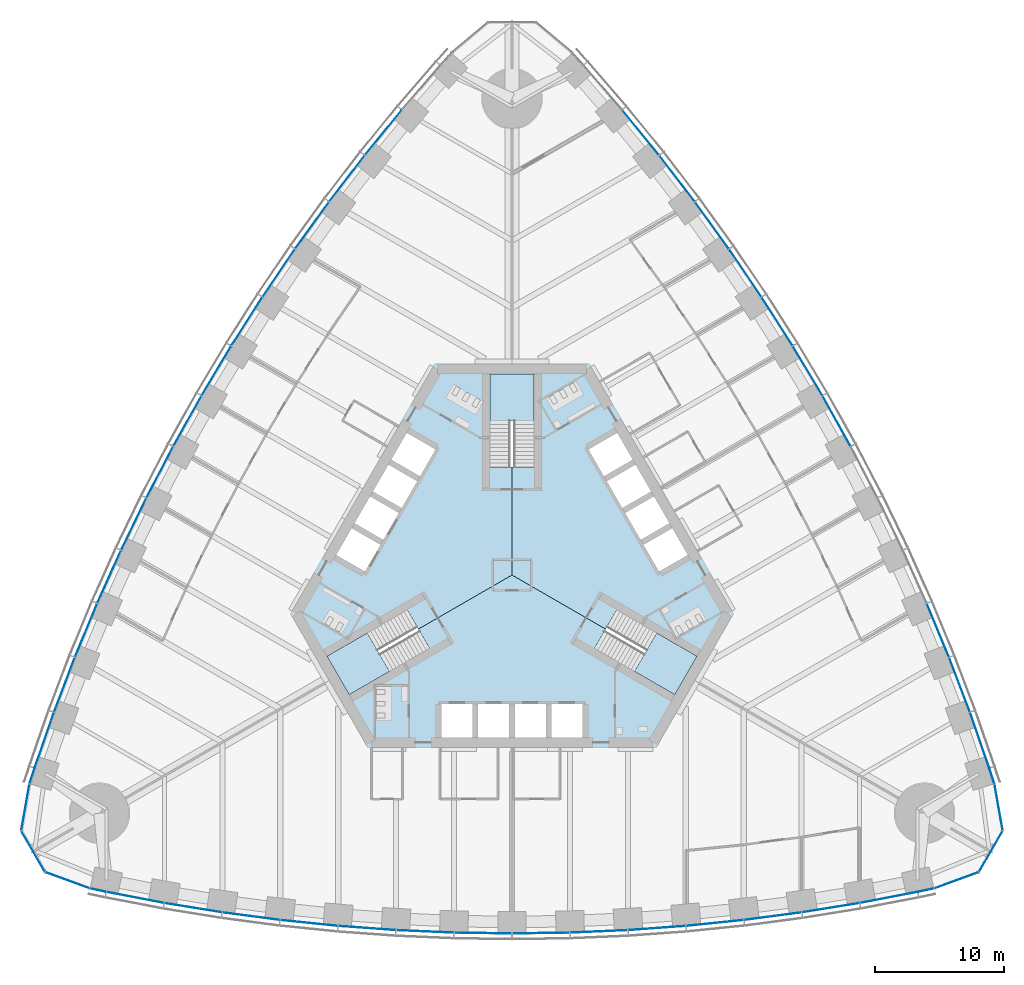
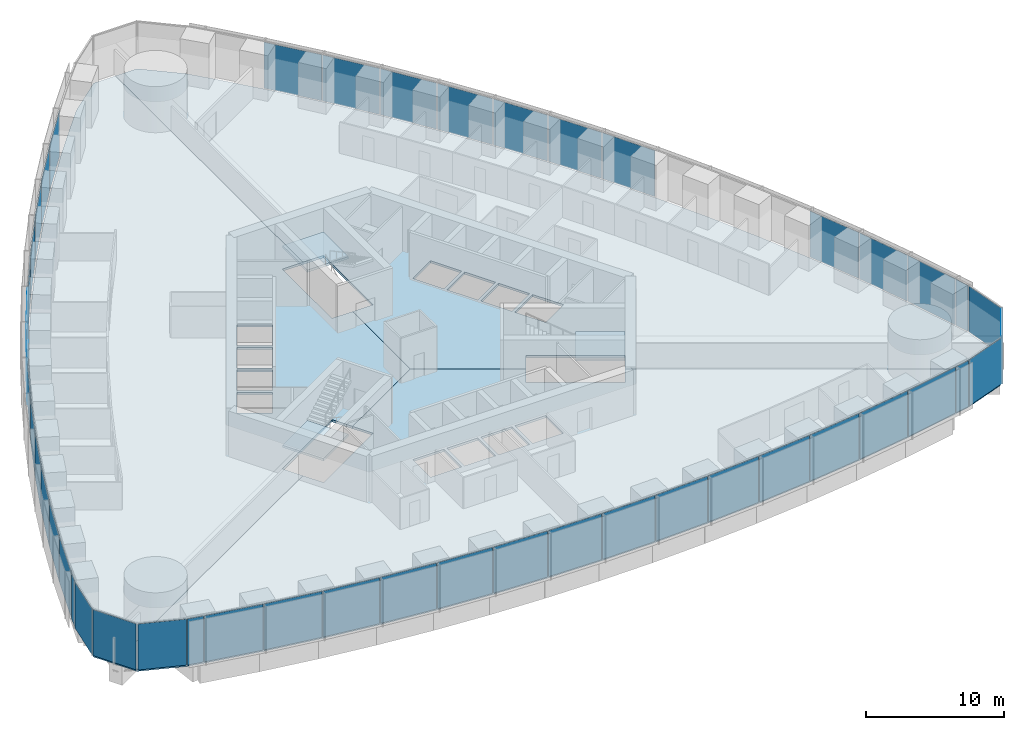
# One storey, part 8 of 19: 47 plates, 6 slabs, 8 elements without a shape of their own.
"""IFC4 building model written with IfcOpenShell, lengths in metres."""

from ifc_helpers import new_model, si_unit, direction, frame, origin, origin_2d, place, context, subcontext, project, spatial, polyline, rectangle, outline, extrude, material, layer, layer_set, type_object, element, aggregate, save


model = new_model("IFC4")

# Units and contexts
model_context = context("Model", 3, precision=1e-05, world=origin(), true_north=direction((0.0, 1.0)))
body_context = subcontext(model_context, "Body", "Model", "MODEL_VIEW")
ifc_project = project(units=[si_unit("LENGTHUNIT", "METRE"), si_unit("AREAUNIT", "SQUARE_METRE"), si_unit("VOLUMEUNIT", "CUBIC_METRE"), si_unit("PLANEANGLEUNIT", "RADIAN"), si_unit("MASSUNIT", "GRAM", prefix="KILO")], contexts=[model_context])

# Site, building, storey
site_placement = place(None, origin())
site = spatial("IfcSite", under=ifc_project, at=site_placement, CompositionType="ELEMENT")
building_placement = place(site_placement, origin())
building = spatial("IfcBuilding", under=site, at=building_placement, Name="Trefoil Bronze Tower", CompositionType="ELEMENT")
storey_placement = place(building_placement, frame((0.0, 0.0, 79.5)))
storey = spatial("IfcBuildingStorey", under=building, at=storey_placement, Name="L18", CompositionType="ELEMENT", Elevation=79.5)

# Curtain wall, plates
ifc_material_1 = material(Name="Tinted solar-control glass", Category="glass")
curtain_wall_type_1 = type_object("IfcCurtainWallType", Name="Bronze office curtain wall", PredefinedType="USERDEFINED", material=ifc_material_1)
curtain_wall_1_placement = place(storey_placement, origin())
curtain_wall_1 = element("IfcCurtainWall", 1, at=curtain_wall_1_placement, inside=storey, type_object=curtain_wall_type_1, Name="CW-A L18 F1", ObjectType="CURTAIN WALL", PredefinedType="USERDEFINED")
ifc_material_2 = material(Name="Tinted solar-control glass", Category="glass")
ifc_layer_1 = layer(ifc_material_2, 0.030029296875)
ifc_layer_set_1 = layer_set([ifc_layer_1], Name="Bronze office curtain wall glass panel")
plate_type_1 = type_object("IfcPlateType", Name="Bronze office curtain wall glass panel", PredefinedType="CURTAIN_PANEL", material=ifc_layer_set_1)
plate_1_placement = place(storey_placement, frame((-32.15185546875, -24.480224609375, 0.0), z_axis=(0.0, 0.0, 1.0), x_axis=(0.978302717041, -0.207180582657, 0.0)))
plate_1 = element("IfcPlate", 2, at=plate_1_placement, type_object=plate_type_1, Name="CW-A L18 F1 panel 1", PredefinedType="CURTAIN_PANEL", context=body_context, shape_type="SweptSolid", body=[
    extrude(rectangle(XDim=1.21044921875, YDim=0.030029296875, at=origin_2d()), origin(), (0.0, 0.0, 1.0), 4.080078125),
])
plate_2_placement = place(storey_placement, frame((-29.268798828125, -25.04638671875, 0.0), z_axis=(0.0, 0.0, 1.0), x_axis=(0.982049823817, -0.188621694249, 0.0)))
plate_2 = element("IfcPlate", 3, at=plate_2_placement, type_object=plate_type_1, Name="CW-A L18 F1 panel 2", PredefinedType="CURTAIN_PANEL", context=body_context, shape_type="SweptSolid", body=[
    extrude(rectangle(XDim=4.502197265625, YDim=0.030029296875, at=origin_2d()), origin(), (0.0, 0.0, 1.0), 4.080078125),
])
plate_3_placement = place(storey_placement, frame((-24.765869140625, -25.8427734375, 0.0), z_axis=(0.0, 0.0, 1.0), x_axis=(0.987181315145, -0.159602791421, 0.0)))
plate_3 = element("IfcPlate", 4, at=plate_3_placement, type_object=plate_type_1, Name="CW-A L18 F1 panel 3", PredefinedType="CURTAIN_PANEL", context=body_context, shape_type="SweptSolid", body=[
    extrude(rectangle(XDim=4.478515625, YDim=0.030029296875, at=origin_2d()), origin(), (0.0, 0.0, 1.0), 4.080078125),
])
plate_4_placement = place(storey_placement, frame((-20.262939453125, -26.50341796875, 0.0), z_axis=(0.0, 0.0, 1.0), x_axis=(0.991437251591, -0.130583981243, 0.0)))
plate_4 = element("IfcPlate", 5, at=plate_4_placement, type_object=plate_type_1, Name="CW-A L18 F1 panel 4", PredefinedType="CURTAIN_PANEL", context=body_context, shape_type="SweptSolid", body=[
    extrude(rectangle(XDim=4.458984375, YDim=0.030029296875, at=origin_2d()), origin(), (0.0, 0.0, 1.0), 4.080078125),
])
plate_5_placement = place(storey_placement, frame((-15.76025390625, -27.02978515625, 0.0), z_axis=(0.0, 0.0, 1.0), x_axis=(0.994828880293, -0.101565244717, 0.0)))
plate_5 = element("IfcPlate", 6, at=plate_5_placement, type_object=plate_type_1, Name="CW-A L18 F1 panel 5", PredefinedType="CURTAIN_PANEL", context=body_context, shape_type="SweptSolid", body=[
    extrude(rectangle(XDim=4.443359375, YDim=0.030029296875, at=origin_2d()), origin(), (0.0, 0.0, 1.0), 4.080078125),
])
plate_6_placement = place(storey_placement, frame((-11.25732421875, -27.42333984375, 0.0), z_axis=(0.0, 0.0, 1.0), x_axis=(0.99736502647, -0.072546564177, 0.0)))
plate_6 = element("IfcPlate", 7, at=plate_6_placement, type_object=plate_type_1, Name="CW-A L18 F1 panel 6", PredefinedType="CURTAIN_PANEL", context=body_context, shape_type="SweptSolid", body=[
    extrude(rectangle(XDim=4.431884765625, YDim=0.030029296875, at=origin_2d()), origin(), (0.0, 0.0, 1.0), 4.080078125),
])
plate_7_placement = place(storey_placement, frame((-6.75439453125, -27.685302734375, 0.0), z_axis=(0.0, 0.0, 1.0), x_axis=(0.999052210809, -0.043527922969, 0.0)))
plate_7 = element("IfcPlate", 8, at=plate_7_placement, type_object=plate_type_1, Name="CW-A L18 F1 panel 7", PredefinedType="CURTAIN_PANEL", context=body_context, shape_type="SweptSolid", body=[
    extrude(rectangle(XDim=4.42431640625, YDim=0.030029296875, at=origin_2d()), origin(), (0.0, 0.0, 1.0), 4.080078125),
])
plate_8_placement = place(storey_placement, frame((-2.25146484375, -27.816162109375, 0.0), z_axis=(0.0, 0.0, 1.0), x_axis=(0.999894734493, -0.014509305083, 0.0)))
plate_8 = element("IfcPlate", 9, at=plate_8_placement, type_object=plate_type_1, Name="CW-A L18 F1 panel 8", PredefinedType="CURTAIN_PANEL", context=body_context, shape_type="SweptSolid", body=[
    extrude(rectangle(XDim=4.42041015625, YDim=0.030029296875, at=origin_2d()), origin(), (0.0, 0.0, 1.0), 4.080078125),
])
plate_9_placement = place(storey_placement, frame((2.25146484375, -27.816162109375, 0.0), z_axis=(0.0, 0.0, 1.0), x_axis=(0.999894734493, 0.014509305083, 0.0)))
plate_9 = element("IfcPlate", 10, at=plate_9_placement, type_object=plate_type_1, Name="CW-A L18 F1 panel 9", PredefinedType="CURTAIN_PANEL", context=body_context, shape_type="SweptSolid", body=[
    extrude(rectangle(XDim=4.42041015625, YDim=0.030029296875, at=origin_2d()), origin(), (0.0, 0.0, 1.0), 4.080078125),
])
plate_10_placement = place(storey_placement, frame((6.75439453125, -27.685302734375, 0.0), z_axis=(0.0, 0.0, 1.0), x_axis=(0.999052210809, 0.043527922969, 0.0)))
plate_10 = element("IfcPlate", 11, at=plate_10_placement, type_object=plate_type_1, Name="CW-A L18 F1 panel 10", PredefinedType="CURTAIN_PANEL", context=body_context, shape_type="SweptSolid", body=[
    extrude(rectangle(XDim=4.42431640625, YDim=0.030029296875, at=origin_2d()), origin(), (0.0, 0.0, 1.0), 4.080078125),
])
plate_11_placement = place(storey_placement, frame((11.25732421875, -27.42333984375, 0.0), z_axis=(0.0, 0.0, 1.0), x_axis=(0.99736502647, 0.072546564177, 0.0)))
plate_11 = element("IfcPlate", 12, at=plate_11_placement, type_object=plate_type_1, Name="CW-A L18 F1 panel 11", PredefinedType="CURTAIN_PANEL", context=body_context, shape_type="SweptSolid", body=[
    extrude(rectangle(XDim=4.431884765625, YDim=0.030029296875, at=origin_2d()), origin(), (0.0, 0.0, 1.0), 4.080078125),
])
plate_12_placement = place(storey_placement, frame((15.76025390625, -27.02978515625, 0.0), z_axis=(0.0, 0.0, 1.0), x_axis=(0.994828880293, 0.101565244717, 0.0)))
plate_12 = element("IfcPlate", 13, at=plate_12_placement, type_object=plate_type_1, Name="CW-A L18 F1 panel 12", PredefinedType="CURTAIN_PANEL", context=body_context, shape_type="SweptSolid", body=[
    extrude(rectangle(XDim=4.443359375, YDim=0.030029296875, at=origin_2d()), origin(), (0.0, 0.0, 1.0), 4.080078125),
])
plate_13_placement = place(storey_placement, frame((20.262939453125, -26.50341796875, 0.0), z_axis=(0.0, 0.0, 1.0), x_axis=(0.991437251591, 0.130583981243, 0.0)))
plate_13 = element("IfcPlate", 14, at=plate_13_placement, type_object=plate_type_1, Name="CW-A L18 F1 panel 13", PredefinedType="CURTAIN_PANEL", context=body_context, shape_type="SweptSolid", body=[
    extrude(rectangle(XDim=4.458984375, YDim=0.030029296875, at=origin_2d()), origin(), (0.0, 0.0, 1.0), 4.080078125),
])
plate_14_placement = place(storey_placement, frame((24.765869140625, -25.8427734375, 0.0), z_axis=(0.0, 0.0, 1.0), x_axis=(0.987181315145, 0.159602791421, 0.0)))
plate_14 = element("IfcPlate", 15, at=plate_14_placement, type_object=plate_type_1, Name="CW-A L18 F1 panel 14", PredefinedType="CURTAIN_PANEL", context=body_context, shape_type="SweptSolid", body=[
    extrude(rectangle(XDim=4.478515625, YDim=0.030029296875, at=origin_2d()), origin(), (0.0, 0.0, 1.0), 4.080078125),
])
plate_15_placement = place(storey_placement, frame((29.268798828125, -25.04638671875, 0.0), z_axis=(0.0, 0.0, 1.0), x_axis=(0.982049823817, 0.188621694249, 0.0)))
plate_15 = element("IfcPlate", 16, at=plate_15_placement, type_object=plate_type_1, Name="CW-A L18 F1 panel 15", PredefinedType="CURTAIN_PANEL", context=body_context, shape_type="SweptSolid", body=[
    extrude(rectangle(XDim=4.502197265625, YDim=0.030029296875, at=origin_2d()), origin(), (0.0, 0.0, 1.0), 4.080078125),
])
plate_16_placement = place(storey_placement, frame((32.15185546875, -24.480224609375, 0.0), z_axis=(0.0, 0.0, 1.0), x_axis=(0.978302717041, 0.207180582657, 0.0)))
plate_16 = element("IfcPlate", 17, at=plate_16_placement, type_object=plate_type_1, Name="CW-A L18 F1 panel 16", PredefinedType="CURTAIN_PANEL", context=body_context, shape_type="SweptSolid", body=[
    extrude(rectangle(XDim=1.21044921875, YDim=0.030029296875, at=origin_2d()), origin(), (0.0, 0.0, 1.0), 4.080078125),
])
aggregate(curtain_wall_1, [plate_1, plate_2, plate_3, plate_4, plate_5, plate_6, plate_7, plate_8, plate_9, plate_10, plate_11, plate_12, plate_13, plate_14, plate_15, plate_16])

curtain_wall_2_placement = place(storey_placement, origin())
curtain_wall_2 = element("IfcCurtainWall", 18, at=curtain_wall_2_placement, inside=storey, type_object=curtain_wall_type_1, Name="CW-A L18 F2", ObjectType="CURTAIN WALL", PredefinedType="USERDEFINED")
plate_17_placement = place(storey_placement, frame((37.2763671875, -15.604248046875, 0.0), z_axis=(0.0, 0.0, 1.0), x_axis=(-0.309727710769, 0.950825296877, 0.0)))
plate_17 = element("IfcPlate", 19, at=plate_17_placement, type_object=plate_type_1, Name="CW-A L18 F2 panel 1", PredefinedType="CURTAIN_PANEL", context=body_context, shape_type="SweptSolid", body=[
    extrude(rectangle(XDim=1.21044921875, YDim=0.030029296875, at=origin_2d()), origin(), (0.0, 0.0, 1.0), 4.080078125),
])
plate_18_placement = place(storey_placement, frame((36.3251953125, -12.824462890625, 0.0), z_axis=(0.0, 0.0, 1.0), x_axis=(-0.327673732984, 0.944790942332, 0.0)))
plate_18 = element("IfcPlate", 20, at=plate_18_placement, type_object=plate_type_1, Name="CW-A L18 F2 panel 2", PredefinedType="CURTAIN_PANEL", context=body_context, shape_type="SweptSolid", body=[
    extrude(rectangle(XDim=4.502197265625, YDim=0.030029296875, at=origin_2d()), origin(), (0.0, 0.0, 1.0), 4.080078125),
])
plate_19_placement = place(storey_placement, frame((34.763427734375, -8.526611328125, 0.0), z_axis=(0.0, 0.0, 1.0), x_axis=(-0.355370585687, 0.934725492767, 0.0)))
plate_19 = element("IfcPlate", 21, at=plate_19_placement, type_object=plate_type_1, Name="CW-A L18 F2 panel 3", PredefinedType="CURTAIN_PANEL", context=body_context, shape_type="SweptSolid", body=[
    extrude(rectangle(XDim=4.478515625, YDim=0.030029296875, at=origin_2d()), origin(), (0.0, 0.0, 1.0), 4.080078125),
])
plate_20_placement = place(storey_placement, frame((33.084228515625, -4.296630859375, 0.0), z_axis=(0.0, 0.0, 1.0), x_axis=(-0.382629580712, 0.923901836758, 0.0)))
plate_20 = element("IfcPlate", 22, at=plate_20_placement, type_object=plate_type_1, Name="CW-A L18 F2 panel 4", PredefinedType="CURTAIN_PANEL", context=body_context, shape_type="SweptSolid", body=[
    extrude(rectangle(XDim=4.458984375, YDim=0.030029296875, at=origin_2d()), origin(), (0.0, 0.0, 1.0), 4.080078125),
])
plate_21_placement = place(storey_placement, frame((25.215087890625, 11.958251953125, 0.0), z_axis=(0.0, 0.0, 1.0), x_axis=(-0.487381940453, 0.873188893722, 0.0)))
plate_21 = element("IfcPlate", 23, at=plate_21_placement, type_object=plate_type_1, Name="CW-A L18 F2 panel 8", PredefinedType="CURTAIN_PANEL", context=body_context, shape_type="SweptSolid", body=[
    extrude(rectangle(XDim=4.42041015625, YDim=0.030029296875, at=origin_2d()), origin(), (0.0, 0.0, 1.0), 4.080078125),
])
plate_22_placement = place(storey_placement, frame((22.963623046875, 15.85791015625, 0.0), z_axis=(0.0, 0.0, 1.0), x_axis=(-0.51251279404, 0.858679588639, 0.0)))
plate_22 = element("IfcPlate", 24, at=plate_22_placement, type_object=plate_type_1, Name="CW-A L18 F2 panel 9", PredefinedType="CURTAIN_PANEL", context=body_context, shape_type="SweptSolid", body=[
    extrude(rectangle(XDim=4.42041015625, YDim=0.030029296875, at=origin_2d()), origin(), (0.0, 0.0, 1.0), 4.080078125),
])
plate_23_placement = place(storey_placement, frame((20.598876953125, 19.692138671875, 0.0), z_axis=(0.0, 0.0, 1.0), x_axis=(-0.537222392469, 0.843440632783, 0.0)))
plate_23 = element("IfcPlate", 25, at=plate_23_placement, type_object=plate_type_1, Name="CW-A L18 F2 panel 10", PredefinedType="CURTAIN_PANEL", context=body_context, shape_type="SweptSolid", body=[
    extrude(rectangle(XDim=4.42431640625, YDim=0.030029296875, at=origin_2d()), origin(), (0.0, 0.0, 1.0), 4.080078125),
])
plate_24_placement = place(storey_placement, frame((18.120849609375, 23.460693359375, 0.0), z_axis=(0.0, 0.0, 1.0), x_axis=(-0.56150968077, 0.827470167681, 0.0)))
plate_24 = element("IfcPlate", 26, at=plate_24_placement, type_object=plate_type_1, Name="CW-A L18 F2 panel 11", PredefinedType="CURTAIN_PANEL", context=body_context, shape_type="SweptSolid", body=[
    extrude(rectangle(XDim=4.431884765625, YDim=0.030029296875, at=origin_2d()), origin(), (0.0, 0.0, 1.0), 4.080078125),
])
plate_25_placement = place(storey_placement, frame((15.5283203125, 27.16357421875, 0.0), z_axis=(0.0, 0.0, 1.0), x_axis=(-0.585372522213, 0.810764460394, 0.0)))
plate_25 = element("IfcPlate", 27, at=plate_25_placement, type_object=plate_type_1, Name="CW-A L18 F2 panel 12", PredefinedType="CURTAIN_PANEL", context=body_context, shape_type="SweptSolid", body=[
    extrude(rectangle(XDim=4.443359375, YDim=0.030029296875, at=origin_2d()), origin(), (0.0, 0.0, 1.0), 4.080078125),
])
plate_26_placement = place(storey_placement, frame((12.821044921875, 30.800048828125, 0.0), z_axis=(0.0, 0.0, 1.0), x_axis=(-0.608807670879, 0.793317855515, 0.0)))
plate_26 = element("IfcPlate", 28, at=plate_26_placement, type_object=plate_type_1, Name="CW-A L18 F2 panel 13", PredefinedType="CURTAIN_PANEL", context=body_context, shape_type="SweptSolid", body=[
    extrude(rectangle(XDim=4.458984375, YDim=0.030029296875, at=origin_2d()), origin(), (0.0, 0.0, 1.0), 4.080078125),
])
plate_27_placement = place(storey_placement, frame((9.99755859375, 34.369384765625, 0.0), z_axis=(0.0, 0.0, 1.0), x_axis=(-0.631810729457, 0.775122701346, 0.0)))
plate_27 = element("IfcPlate", 29, at=plate_27_placement, type_object=plate_type_1, Name="CW-A L18 F2 panel 14", PredefinedType="CURTAIN_PANEL", context=body_context, shape_type="SweptSolid", body=[
    extrude(rectangle(XDim=4.478515625, YDim=0.030029296875, at=origin_2d()), origin(), (0.0, 0.0, 1.0), 4.080078125),
])
aggregate(curtain_wall_2, [plate_17, plate_18, plate_19, plate_20, plate_21, plate_22, plate_23, plate_24, plate_25, plate_26, plate_27])

curtain_wall_3_placement = place(storey_placement, origin())
curtain_wall_3 = element("IfcCurtainWall", 30, at=curtain_wall_3_placement, inside=storey, type_object=curtain_wall_type_1, Name="CW-A L18 F3", ObjectType="CURTAIN WALL", PredefinedType="USERDEFINED")
plate_28_placement = place(storey_placement, frame((-9.99755859375, 34.369384765625, 0.0), z_axis=(0.0, 0.0, 1.0), x_axis=(-0.631810729457, -0.775122701346, 0.0)))
plate_28 = element("IfcPlate", 31, at=plate_28_placement, type_object=plate_type_1, Name="CW-A L18 F3 panel 3", PredefinedType="CURTAIN_PANEL", context=body_context, shape_type="SweptSolid", body=[
    extrude(rectangle(XDim=4.478515625, YDim=0.030029296875, at=origin_2d()), origin(), (0.0, 0.0, 1.0), 4.080078125),
])
plate_29_placement = place(storey_placement, frame((-12.821044921875, 30.800048828125, 0.0), z_axis=(0.0, 0.0, 1.0), x_axis=(-0.608807670879, -0.793317855515, 0.0)))
plate_29 = element("IfcPlate", 32, at=plate_29_placement, type_object=plate_type_1, Name="CW-A L18 F3 panel 4", PredefinedType="CURTAIN_PANEL", context=body_context, shape_type="SweptSolid", body=[
    extrude(rectangle(XDim=4.458984375, YDim=0.030029296875, at=origin_2d()), origin(), (0.0, 0.0, 1.0), 4.080078125),
])
plate_30_placement = place(storey_placement, frame((-15.5283203125, 27.16357421875, 0.0), z_axis=(0.0, 0.0, 1.0), x_axis=(-0.585372522213, -0.810764460394, 0.0)))
plate_30 = element("IfcPlate", 33, at=plate_30_placement, type_object=plate_type_1, Name="CW-A L18 F3 panel 5", PredefinedType="CURTAIN_PANEL", context=body_context, shape_type="SweptSolid", body=[
    extrude(rectangle(XDim=4.443359375, YDim=0.030029296875, at=origin_2d()), origin(), (0.0, 0.0, 1.0), 4.080078125),
])
plate_31_placement = place(storey_placement, frame((-18.120849609375, 23.460693359375, 0.0), z_axis=(0.0, 0.0, 1.0), x_axis=(-0.56150968077, -0.827470167681, 0.0)))
plate_31 = element("IfcPlate", 34, at=plate_31_placement, type_object=plate_type_1, Name="CW-A L18 F3 panel 6", PredefinedType="CURTAIN_PANEL", context=body_context, shape_type="SweptSolid", body=[
    extrude(rectangle(XDim=4.431884765625, YDim=0.030029296875, at=origin_2d()), origin(), (0.0, 0.0, 1.0), 4.080078125),
])
plate_32_placement = place(storey_placement, frame((-20.598876953125, 19.692138671875, 0.0), z_axis=(0.0, 0.0, 1.0), x_axis=(-0.537222392469, -0.843440632783, 0.0)))
plate_32 = element("IfcPlate", 35, at=plate_32_placement, type_object=plate_type_1, Name="CW-A L18 F3 panel 7", PredefinedType="CURTAIN_PANEL", context=body_context, shape_type="SweptSolid", body=[
    extrude(rectangle(XDim=4.42431640625, YDim=0.030029296875, at=origin_2d()), origin(), (0.0, 0.0, 1.0), 4.080078125),
])
plate_33_placement = place(storey_placement, frame((-22.963623046875, 15.85791015625, 0.0), z_axis=(0.0, 0.0, 1.0), x_axis=(-0.51251279404, -0.858679588639, 0.0)))
plate_33 = element("IfcPlate", 36, at=plate_33_placement, type_object=plate_type_1, Name="CW-A L18 F3 panel 8", PredefinedType="CURTAIN_PANEL", context=body_context, shape_type="SweptSolid", body=[
    extrude(rectangle(XDim=4.42041015625, YDim=0.030029296875, at=origin_2d()), origin(), (0.0, 0.0, 1.0), 4.080078125),
])
plate_34_placement = place(storey_placement, frame((-25.215087890625, 11.958251953125, 0.0), z_axis=(0.0, 0.0, 1.0), x_axis=(-0.487381940453, -0.873188893722, 0.0)))
plate_34 = element("IfcPlate", 37, at=plate_34_placement, type_object=plate_type_1, Name="CW-A L18 F3 panel 9", PredefinedType="CURTAIN_PANEL", context=body_context, shape_type="SweptSolid", body=[
    extrude(rectangle(XDim=4.42041015625, YDim=0.030029296875, at=origin_2d()), origin(), (0.0, 0.0, 1.0), 4.080078125),
])
plate_35_placement = place(storey_placement, frame((-27.353271484375, 7.9931640625, 0.0), z_axis=(0.0, 0.0, 1.0), x_axis=(-0.46182981834, -0.886968555752, 0.0)))
plate_35 = element("IfcPlate", 38, at=plate_35_placement, type_object=plate_type_1, Name="CW-A L18 F3 panel 10", PredefinedType="CURTAIN_PANEL", context=body_context, shape_type="SweptSolid", body=[
    extrude(rectangle(XDim=4.42431640625, YDim=0.030029296875, at=origin_2d()), origin(), (0.0, 0.0, 1.0), 4.080078125),
])
plate_36_placement = place(storey_placement, frame((-29.3779296875, 3.962646484375, 0.0), z_axis=(0.0, 0.0, 1.0), x_axis=(-0.4358553457, -0.900016731858, 0.0)))
plate_36 = element("IfcPlate", 39, at=plate_36_placement, type_object=plate_type_1, Name="CW-A L18 F3 panel 11", PredefinedType="CURTAIN_PANEL", context=body_context, shape_type="SweptSolid", body=[
    extrude(rectangle(XDim=4.431884765625, YDim=0.030029296875, at=origin_2d()), origin(), (0.0, 0.0, 1.0), 4.080078125),
])
plate_37_placement = place(storey_placement, frame((-31.28857421875, -0.1337890625, 0.0), z_axis=(0.0, 0.0, 1.0), x_axis=(-0.40945635808, -0.912329705111, 0.0)))
plate_37 = element("IfcPlate", 40, at=plate_37_placement, type_object=plate_type_1, Name="CW-A L18 F3 panel 12", PredefinedType="CURTAIN_PANEL", context=body_context, shape_type="SweptSolid", body=[
    extrude(rectangle(XDim=4.443359375, YDim=0.030029296875, at=origin_2d()), origin(), (0.0, 0.0, 1.0), 4.080078125),
])
plate_38_placement = place(storey_placement, frame((-33.084228515625, -4.296630859375, 0.0), z_axis=(0.0, 0.0, 1.0), x_axis=(-0.382629580712, -0.923901836758, 0.0)))
plate_38 = element("IfcPlate", 41, at=plate_38_placement, type_object=plate_type_1, Name="CW-A L18 F3 panel 13", PredefinedType="CURTAIN_PANEL", context=body_context, shape_type="SweptSolid", body=[
    extrude(rectangle(XDim=4.458984375, YDim=0.030029296875, at=origin_2d()), origin(), (0.0, 0.0, 1.0), 4.080078125),
])
plate_39_placement = place(storey_placement, frame((-34.763427734375, -8.526611328125, 0.0), z_axis=(0.0, 0.0, 1.0), x_axis=(-0.355370585687, -0.934725492767, 0.0)))
plate_39 = element("IfcPlate", 42, at=plate_39_placement, type_object=plate_type_1, Name="CW-A L18 F3 panel 14", PredefinedType="CURTAIN_PANEL", context=body_context, shape_type="SweptSolid", body=[
    extrude(rectangle(XDim=4.478515625, YDim=0.030029296875, at=origin_2d()), origin(), (0.0, 0.0, 1.0), 4.080078125),
])
plate_40_placement = place(storey_placement, frame((-36.3251953125, -12.824462890625, 0.0), z_axis=(0.0, 0.0, 1.0), x_axis=(-0.327673732984, -0.944790942332, 0.0)))
plate_40 = element("IfcPlate", 43, at=plate_40_placement, type_object=plate_type_1, Name="CW-A L18 F3 panel 15", PredefinedType="CURTAIN_PANEL", context=body_context, shape_type="SweptSolid", body=[
    extrude(rectangle(XDim=4.502197265625, YDim=0.030029296875, at=origin_2d()), origin(), (0.0, 0.0, 1.0), 4.080078125),
])
plate_41_placement = place(storey_placement, frame((-37.2763671875, -15.604248046875, 0.0), z_axis=(0.0, 0.0, 1.0), x_axis=(-0.309727710769, -0.950825296877, 0.0)))
plate_41 = element("IfcPlate", 44, at=plate_41_placement, type_object=plate_type_1, Name="CW-A L18 F3 panel 16", PredefinedType="CURTAIN_PANEL", context=body_context, shape_type="SweptSolid", body=[
    extrude(rectangle(XDim=1.21044921875, YDim=0.030029296875, at=origin_2d()), origin(), (0.0, 0.0, 1.0), 4.080078125),
])
aggregate(curtain_wall_3, [plate_28, plate_29, plate_30, plate_31, plate_32, plate_33, plate_34, plate_35, plate_36, plate_37, plate_38, plate_39, plate_40, plate_41])

ifc_material_3 = material(Name="Tinted solar-control glass", Category="glass")
curtain_wall_type_2 = type_object("IfcCurtainWallType", Name="Bronze rounded corner curtain wall", PredefinedType="USERDEFINED", material=ifc_material_3)
curtain_wall_4_placement = place(storey_placement, origin())
curtain_wall_4 = element("IfcCurtainWall", 45, at=curtain_wall_4_placement, inside=storey, type_object=curtain_wall_type_2, Name="CW-B L18 K1", ObjectType="CURTAIN WALL", PredefinedType="USERDEFINED")
ifc_material_4 = material(Name="Tinted solar-control glass", Category="glass")
ifc_layer_2 = layer(ifc_material_4, 0.030029296875)
ifc_layer_set_2 = layer_set([ifc_layer_2], Name="Bronze rounded corner curtain wall glass panel")
plate_type_2 = type_object("IfcPlateType", Name="Bronze rounded corner curtain wall glass panel", PredefinedType="CURTAIN_PANEL", material=ifc_layer_set_2)
plate_42_placement = place(storey_placement, frame((34.5107421875, -23.71875, 0.0), z_axis=(0.0, 0.0, 1.0), x_axis=(0.939692620786, 0.342020143326, 0.0)))
plate_42 = element("IfcPlate", 46, at=plate_42_placement, type_object=plate_type_2, Name="CW-B L18 K1 panel 1", PredefinedType="CURTAIN_PANEL", context=body_context, shape_type="SweptSolid", body=[
    extrude(rectangle(XDim=3.588134765625, YDim=0.030029296875, at=origin_2d()), origin(), (0.0, 0.0, 1.0), 4.080078125),
])
plate_43_placement = place(storey_placement, frame((37.189208984375, -21.47119140625, 0.0), z_axis=(0.0, 0.0, 1.0), x_axis=(0.5, 0.866025403784, 0.0)))
plate_43 = element("IfcPlate", 47, at=plate_43_placement, type_object=plate_type_2, Name="CW-B L18 K1 panel 2", PredefinedType="CURTAIN_PANEL", context=body_context, shape_type="SweptSolid", body=[
    extrude(rectangle(XDim=3.588134765625, YDim=0.030029296875, at=origin_2d()), origin(), (0.0, 0.0, 1.0), 4.080078125),
])
plate_44_placement = place(storey_placement, frame((37.79638671875, -18.02783203125, 0.0), z_axis=(0.0, 0.0, 1.0), x_axis=(-0.173648177667, 0.984807753012, 0.0)))
plate_44 = element("IfcPlate", 48, at=plate_44_placement, type_object=plate_type_2, Name="CW-B L18 K1 panel 3", PredefinedType="CURTAIN_PANEL", context=body_context, shape_type="SweptSolid", body=[
    extrude(rectangle(XDim=3.588134765625, YDim=0.030029296875, at=origin_2d()), origin(), (0.0, 0.0, 1.0), 4.080078125),
])
aggregate(curtain_wall_4, [plate_42, plate_43, plate_44])

curtain_wall_5_placement = place(storey_placement, origin())
curtain_wall_5 = element("IfcCurtainWall", 49, at=curtain_wall_5_placement, inside=storey, type_object=curtain_wall_type_2, Name="CW-B L18 K3", ObjectType="CURTAIN WALL", PredefinedType="USERDEFINED")
plate_45_placement = place(storey_placement, frame((-37.79638671875, -18.02783203125, 0.0), z_axis=(0.0, 0.0, 1.0), x_axis=(-0.173648177667, -0.984807753012, 0.0)))
plate_45 = element("IfcPlate", 50, at=plate_45_placement, type_object=plate_type_2, Name="CW-B L18 K3 panel 1", PredefinedType="CURTAIN_PANEL", context=body_context, shape_type="SweptSolid", body=[
    extrude(rectangle(XDim=3.588134765625, YDim=0.030029296875, at=origin_2d()), origin(), (0.0, 0.0, 1.0), 4.080078125),
])
plate_46_placement = place(storey_placement, frame((-37.189208984375, -21.47119140625, 0.0), z_axis=(0.0, 0.0, 1.0), x_axis=(0.5, -0.866025403784, 0.0)))
plate_46 = element("IfcPlate", 51, at=plate_46_placement, type_object=plate_type_2, Name="CW-B L18 K3 panel 2", PredefinedType="CURTAIN_PANEL", context=body_context, shape_type="SweptSolid", body=[
    extrude(rectangle(XDim=3.588134765625, YDim=0.030029296875, at=origin_2d()), origin(), (0.0, 0.0, 1.0), 4.080078125),
])
plate_47_placement = place(storey_placement, frame((-34.5107421875, -23.71875, 0.0), z_axis=(0.0, 0.0, 1.0), x_axis=(0.939692620786, -0.342020143326, 0.0)))
plate_47 = element("IfcPlate", 52, at=plate_47_placement, type_object=plate_type_2, Name="CW-B L18 K3 panel 3", PredefinedType="CURTAIN_PANEL", context=body_context, shape_type="SweptSolid", body=[
    extrude(rectangle(XDim=3.588134765625, YDim=0.030029296875, at=origin_2d()), origin(), (0.0, 0.0, 1.0), 4.080078125),
])
aggregate(curtain_wall_5, [plate_45, plate_46, plate_47])

# Slabs
ifc_material_5 = material(Name="Concrete B30", Category="concrete")
ifc_layer_3 = layer(ifc_material_5, 0.199951171875)
ifc_layer_set_3 = layer_set([ifc_layer_3], Name="Floor slab 200")
slab_type_1 = type_object("IfcSlabType", Name="Floor slab 200", PredefinedType="FLOOR", material=ifc_layer_set_3)
slab_1_placement = place(storey_placement, frame((0.0, 0.0, -0.199951171875)))
element("IfcSlab", 53, at=slab_1_placement, inside=storey, type_object=slab_type_1, Name="Floor slab L18 face 1", PredefinedType="FLOOR", context=body_context, shape_type="SweptSolid", body=[
    extrude(outline(polyline([(27.0, -25.38037109375), (22.5, -26.10791015625), (18.0, -26.70068359375), (13.5, -27.159912109375), (9.0, -27.4873046875), (4.5, -27.683349609375), (0.0, -27.748779296875), (-4.5, -27.683349609375), (-9.0, -27.4873046875), (-13.5, -27.159912109375), (-18.0, -26.70068359375), (-22.5, -26.10791015625), (-27.0, -25.38037109375), (-31.5, -24.51611328125), (-32.762451171875, -24.248779296875), (-36.190673828125, -23.0009765625), (-37.1025390625, -21.421142578125), (-13.510009765625, -7.800048828125), (-12.6474609375, -9.2939453125), (-6.412109375, -5.69384765625), (-7.274658203125, -4.199951171875), (0.0, 0.0), (7.274658203125, -4.199951171875), (6.412109375, -5.69384765625), (12.6474609375, -9.2939453125), (13.510009765625, -7.800048828125), (37.1025390625, -21.421142578125), (36.190673828125, -23.0009765625), (32.762451171875, -24.248779296875), (31.5, -24.51611328125), (27.0, -25.38037109375)]), holes=[polyline([(-5.574951171875, -10.02490234375), (-2.97509765625, -10.02490234375), (-2.97509765625, -12.60009765625), (-5.574951171875, -12.60009765625), (-5.574951171875, -10.02490234375)]), polyline([(-2.72509765625, -10.02490234375), (-0.125, -10.02490234375), (-0.125, -12.60009765625), (-2.72509765625, -12.60009765625), (-2.72509765625, -10.02490234375)]), polyline([(0.125, -10.02490234375), (2.72509765625, -10.02490234375), (2.72509765625, -12.60009765625), (0.125, -12.60009765625), (0.125, -10.02490234375)]), polyline([(2.97509765625, -10.02490234375), (5.574951171875, -10.02490234375), (5.574951171875, -12.60009765625), (2.97509765625, -12.60009765625), (2.97509765625, -10.02490234375)])]), origin(), (0.0, 0.0, 1.0), 0.199951171875),
])
slab_2_placement = place(storey_placement, frame((0.0, 0.0, -0.199951171875)))
element("IfcSlab", 54, at=slab_2_placement, inside=storey, type_object=slab_type_1, Name="Floor slab L18 face 2", PredefinedType="FLOOR", context=body_context, shape_type="SweptSolid", body=[
    extrude(outline(polyline([(8.47998046875, 36.07275390625), (11.360107421875, 32.53955078125), (14.123291015625, 28.938720703125), (16.771240234375, 25.271240234375), (19.3046875, 21.537841796875), (21.724609375, 17.73876953125), (24.031005859375, 13.874267578125), (26.224609375, 9.944580078125), (28.3046875, 5.949462890625), (30.271240234375, 1.888671875), (32.123291015625, -2.238037109375), (33.860107421875, -6.431640625), (35.47998046875, -10.6923828125), (36.9814453125, -15.021728515625), (37.381103515625, -16.248779296875), (38.0146484375, -19.841552734375), (37.1025390625, -21.421142578125), (13.510009765625, -7.800048828125), (14.37255859375, -6.30615234375), (8.13720703125, -2.7060546875), (7.274658203125, -4.199951171875), (0.0, 0.0), (0.0, 8.39990234375), (1.72509765625, 8.39990234375), (1.72509765625, 15.60009765625), (0.0, 15.60009765625), (0.0, 42.842529296875), (1.82421875, 42.842529296875), (4.618896484375, 40.497314453125), (5.4814453125, 39.537841796875), (8.47998046875, 36.07275390625)]), holes=[polyline([(11.469482421875, 0.184326171875), (10.16943359375, 2.43603515625), (12.3994140625, 3.7236328125), (13.699462890625, 1.471923828125), (11.469482421875, 0.184326171875)]), polyline([(10.04443359375, 2.652587890625), (8.744384765625, 4.904296875), (10.974365234375, 6.191650390625), (12.2744140625, 3.940185546875), (10.04443359375, 2.652587890625)]), polyline([(8.619384765625, 5.120849609375), (7.3193359375, 7.372314453125), (9.54931640625, 8.659912109375), (10.849365234375, 6.408203125), (8.619384765625, 5.120849609375)]), polyline([(7.1943359375, 7.5888671875), (5.894287109375, 9.840576171875), (8.12451171875, 11.128173828125), (9.42431640625, 8.87646484375), (7.1943359375, 7.5888671875)])]), origin(), (0.0, 0.0, 1.0), 0.199951171875),
])
slab_3_placement = place(storey_placement, frame((0.0, 0.0, -0.199951171875)))
element("IfcSlab", 55, at=slab_3_placement, inside=storey, type_object=slab_type_1, Name="Floor slab L18 face 3", PredefinedType="FLOOR", context=body_context, shape_type="SweptSolid", body=[
    extrude(outline(polyline([(-35.47998046875, -10.6923828125), (-33.860107421875, -6.431640625), (-32.123291015625, -2.238037109375), (-30.271240234375, 1.888671875), (-28.3046875, 5.949462890625), (-26.224609375, 9.944580078125), (-24.031005859375, 13.874267578125), (-21.724609375, 17.73876953125), (-19.3046875, 21.537841796875), (-16.771240234375, 25.271240234375), (-14.123291015625, 28.938720703125), (-11.360107421875, 32.53955078125), (-8.47998046875, 36.07275390625), (-5.4814453125, 39.537841796875), (-4.618896484375, 40.497314453125), (-1.82421875, 42.842529296875), (0.0, 42.842529296875), (0.0, 15.60009765625), (-1.72509765625, 15.60009765625), (-1.72509765625, 8.39990234375), (0.0, 8.39990234375), (0.0, 0.0), (-7.274658203125, -4.199951171875), (-8.13720703125, -2.7060546875), (-14.37255859375, -6.30615234375), (-13.510009765625, -7.800048828125), (-37.1025390625, -21.421142578125), (-38.0146484375, -19.841552734375), (-37.381103515625, -16.248779296875), (-36.9814453125, -15.021728515625), (-35.47998046875, -10.6923828125)]), holes=[polyline([(-5.894287109375, 9.840576171875), (-7.1943359375, 7.5888671875), (-9.42431640625, 8.87646484375), (-8.12451171875, 11.128173828125), (-5.894287109375, 9.840576171875)]), polyline([(-7.3193359375, 7.372314453125), (-8.619384765625, 5.120849609375), (-10.849365234375, 6.408203125), (-9.54931640625, 8.659912109375), (-7.3193359375, 7.372314453125)]), polyline([(-8.744384765625, 4.904296875), (-10.04443359375, 2.652587890625), (-12.2744140625, 3.940185546875), (-10.974365234375, 6.191650390625), (-8.744384765625, 4.904296875)]), polyline([(-10.16943359375, 2.43603515625), (-11.469482421875, 0.184326171875), (-13.699462890625, 1.471923828125), (-12.3994140625, 3.7236328125), (-10.16943359375, 2.43603515625)])]), origin(), (0.0, 0.0, 1.0), 0.199951171875),
])

# Stair, slab
ifc_material_6 = material(Name="Precast concrete B80", Category="concrete")
stair_type = type_object("IfcStairType", Name="Exit stair 26 risers", PredefinedType="HALF_TURN_STAIR", material=ifc_material_6)
stair_1_placement = place(storey_placement, origin())
stair_1 = element("IfcStair", 56, at=stair_1_placement, inside=storey, type_object=stair_type, Name="Stair ST1 L18", PredefinedType="HALF_TURN_STAIR")
ifc_material_7 = material(Name="Concrete B30", Category="concrete")
ifc_layer_4 = layer(ifc_material_7, 0.199951171875)
ifc_layer_set_4 = layer_set([ifc_layer_4], Name="Stair landing 200")
slab_type_2 = type_object("IfcSlabType", Name="Stair landing 200", PredefinedType="LANDING", material=ifc_layer_set_4)
slab_4_placement = place(storey_placement, frame((0.0, 0.0, 1.89990234375)))
slab_4 = element("IfcSlab", 57, at=slab_4_placement, type_object=slab_type_2, Name="ST1 landing 1", PredefinedType="LANDING", context=body_context, shape_type="SweptSolid", body=[
    extrude(outline(polyline([(9.512451171875, -7.48388671875), (12.6474609375, -9.2939453125), (14.37255859375, -6.30615234375), (11.237548828125, -4.49609375), (9.512451171875, -7.48388671875)])), origin(), (0.0, 0.0, 1.0), 0.2001953125),
])
aggregate(stair_1, [slab_4])

stair_2_placement = place(storey_placement, origin())
stair_2 = element("IfcStair", 58, at=stair_2_placement, inside=storey, type_object=stair_type, Name="Stair ST2 L18", PredefinedType="HALF_TURN_STAIR")
slab_5_placement = place(storey_placement, frame((0.0, 0.0, 1.89990234375)))
slab_5 = element("IfcSlab", 59, at=slab_5_placement, type_object=slab_type_2, Name="ST2 landing 1", PredefinedType="LANDING", context=body_context, shape_type="SweptSolid", body=[
    extrude(outline(polyline([(1.72509765625, 11.97998046875), (1.72509765625, 15.60009765625), (-1.72509765625, 15.60009765625), (-1.72509765625, 11.97998046875), (1.72509765625, 11.97998046875)])), origin(), (0.0, 0.0, 1.0), 0.2001953125),
])
aggregate(stair_2, [slab_5])

stair_3_placement = place(storey_placement, origin())
stair_3 = element("IfcStair", 60, at=stair_3_placement, inside=storey, type_object=stair_type, Name="Stair ST3 L18", PredefinedType="HALF_TURN_STAIR")
slab_6_placement = place(storey_placement, frame((0.0, 0.0, 1.89990234375)))
slab_6 = element("IfcSlab", 61, at=slab_6_placement, type_object=slab_type_2, Name="ST3 landing 1", PredefinedType="LANDING", context=body_context, shape_type="SweptSolid", body=[
    extrude(outline(polyline([(-11.237548828125, -4.49609375), (-14.37255859375, -6.30615234375), (-12.6474609375, -9.2939453125), (-9.512451171875, -7.48388671875), (-11.237548828125, -4.49609375)])), origin(), (0.0, 0.0, 1.0), 0.2001953125),
])
aggregate(stair_3, [slab_6])

save(model, "model.ifc")
